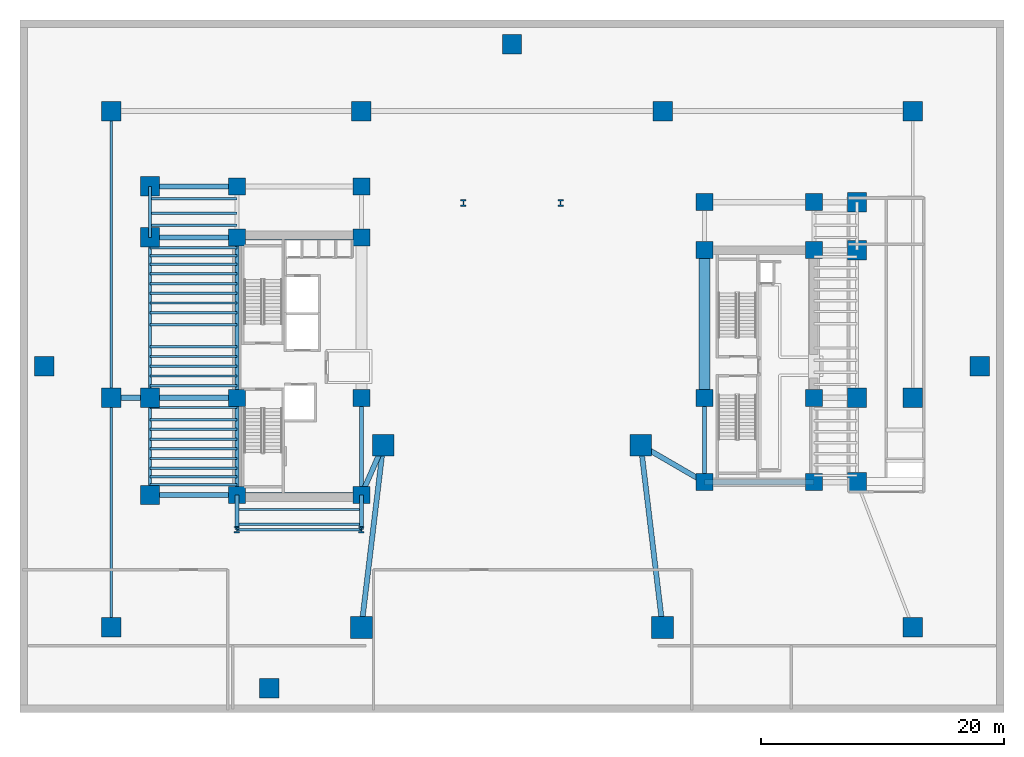
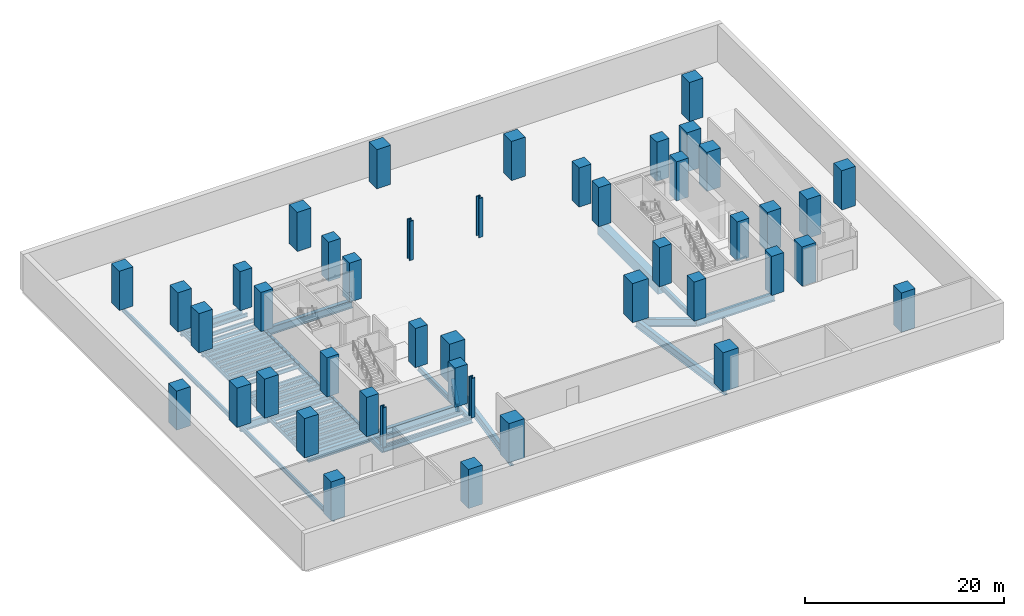
# One storey, part 1 of 10: 53 beams, 44 columns.
"""IFC4 building model written with IfcOpenShell, lengths in metres."""

from ifc_helpers import new_model, si_unit, direction, frame, origin, origin_2d, place, context, subcontext, project, spatial, rectangle, i_section, extrude, source, transform, mapped, material, material_profile, profile_set, type_object, element, save


model = new_model("IFC4")

# Units and contexts
model_context = context("Model", 3, precision=1e-05, world=origin(), true_north=direction((0.0, 1.0)))
body_context = subcontext(model_context, "Body", "Model", "MODEL_VIEW")
ifc_project = project(units=[si_unit("LENGTHUNIT", "METRE"), si_unit("AREAUNIT", "SQUARE_METRE"), si_unit("VOLUMEUNIT", "CUBIC_METRE"), si_unit("PLANEANGLEUNIT", "RADIAN"), si_unit("MASSUNIT", "GRAM", prefix="KILO")], contexts=[model_context])

# Site, building, storey
site_placement = place(None, origin())
site = spatial("IfcSite", under=ifc_project, at=site_placement, CompositionType="ELEMENT")
building_placement = place(site_placement, origin())
building = spatial("IfcBuilding", under=site, at=building_placement, Name="Valdorenza Pilgrim Sanctuary Tower", CompositionType="ELEMENT")
storey_placement = place(building_placement, frame((0.0, 0.0, -4.800048828125)))
storey = spatial("IfcBuildingStorey", under=building, at=storey_placement, Name="B01", CompositionType="ELEMENT", Elevation=-4.800048828125)

# Columns
ifc_material_1 = material(Name="Concrete C60/75", Category="concrete")
ifc_material_profile_1 = material_profile(ifc_material_1, rectangle(XDim=1.60009765625, YDim=1.60009765625, at=origin_2d()), Name="RC 1600x1600")
ifc_profile_set_1 = profile_set([ifc_material_profile_1], Name="Concrete C60/75")
column_type_1 = type_object("IfcColumnType", Name="COL-POD-1600", PredefinedType="COLUMN", material=ifc_profile_set_1)
shared_shape_1 = source(origin(), body_context, "Body", "SweptSolid", [
    extrude(rectangle(XDim=1.60009765625, YDim=1.60009765625, at=origin_2d()), origin(), (0.0, 0.0, 1.0), 4.800048828125),
])
for number, where, z_axis, x_axis, name in (
    (1, (-29.800048828125, -10.60009765625, 0.0), (0.0, 0.0, 1.0), (1.0, 0.0, 0.0), "B01 Perimeter Column WA-W-S1"),
    (2, (-29.800048828125, -2.60009765625, 0.0), (0.0, 0.0, 1.0), (1.0, 0.0, 0.0), "B01 Perimeter Column WA-W-M0"),
    (3, (-29.800048828125, 10.60009765625, 0.0), (0.0, 0.0, 1.0), (1.0, 0.0, 0.0), "B01 Perimeter Column WA-W-N1"),
    (4, (-29.800048828125, 14.800048828125, 0.0), (0.0, 0.0, 1.0), (1.0, 0.0, 0.0), "B01 Perimeter Column WA-W-N2"),
    (5, (28.39990234375, -9.550048828125, 0.0), (0.0, 0.0, 1.0), (1.0, 0.0, 0.0), "B01 Perimeter Column WB-E-S1"),
    (6, (28.39990234375, -2.60009765625, 0.0), (0.0, 0.0, 1.0), (1.0, 0.0, 0.0), "B01 Perimeter Column WB-E-M0"),
    (7, (28.39990234375, 9.550048828125, 0.0), (0.0, 0.0, 1.0), (1.0, 0.0, 0.0), "B01 Perimeter Column WB-E-N1"),
    (8, (28.39990234375, 13.5, 0.0), (0.0, 0.0, 1.0), (1.0, 0.0, 0.0), "B01 Perimeter Column WB-E-N2"),
    (9, (-33.0, -21.5, 0.0), (0.0, 0.0, 1.0), (1.0, 0.0, 0.0), "B01 Perimeter Column POD-SW"),
    (10, (-33.0, -2.60009765625, 0.0), (0.0, 0.0, 1.0), (1.0, 0.0, 0.0), "B01 Perimeter Column POD-MW"),
    (11, (-33.0, 21.0, 0.0), (0.0, 0.0, 1.0), (1.0, 0.0, 0.0), "B01 Perimeter Column POD-NW"),
    (12, (-12.39990234375, 21.0, 0.0), (0.0, 0.0, 1.0), (1.0, 0.0, 0.0), "B01 Perimeter Column POD-NCW"),
    (13, (12.39990234375, 21.0, 0.0), (0.0, 0.0, 1.0), (1.0, 0.0, 0.0), "B01 Perimeter Column POD-NCE"),
    (14, (33.0, 21.0, 0.0), (0.0, 0.0, 1.0), (1.0, 0.0, 0.0), "B01 Perimeter Column POD-NE"),
    (15, (33.0, -2.60009765625, 0.0), (0.0, 0.0, 1.0), (1.0, 0.0, 0.0), "B01 Perimeter Column POD-ME"),
    (16, (33.0, -21.5, 0.0), (0.0, 0.0, 1.0), (1.0, 0.0, 0.0), "B01 Perimeter Column POD-SE"),
    (17, (-38.5, 0.0, 0.0), (0.0, 0.0, 1.0), (1.0, 0.0, 0.0), "B01 Column BSM-W-OUT"),
    (18, (38.5, 0.0, 0.0), (0.0, 0.0, 1.0), (1.0, 0.0, 0.0), "B01 Column BSM-E-OUT"),
    (19, (0.0, 26.5, 0.0), (0.0, 0.0, 1.0), (1.0, 0.0, 0.0), "B01 Column BSM-N-OUT"),
    (20, (-20.0, -26.5, 0.0), (0.0, 0.0, 1.0), (1.0, 0.0, 0.0), "B01 Column BSM-S-OUT"),
):
    element("IfcColumn", number, at=place(storey_placement, frame(where, z_axis=z_axis, x_axis=x_axis)), inside=storey, type_object=column_type_1, Name=name, PredefinedType="COLUMN", context=body_context, shape_type="MappedRepresentation", body=[
        mapped(shared_shape_1, transform((0.0, 0.0, 0.0), x_axis=(1.0, 0.0, 0.0), y_axis=(0.0, 1.0, 0.0), z_axis=(0.0, 0.0, 1.0), scale=1.0)),
    ])
ifc_material_profile_2 = material_profile(ifc_material_1, rectangle(XDim=1.39990234375, YDim=1.39990234375, at=origin_2d()), Name="RC 1400x1400")
ifc_profile_set_2 = profile_set([ifc_material_profile_2], Name="Concrete C60/75")
column_type_2 = type_object("IfcColumnType", Name="COL-Z1-1400", PredefinedType="COLUMN", material=ifc_profile_set_2)
shared_shape_2 = source(origin(), body_context, "Body", "SweptSolid", [
    extrude(rectangle(XDim=1.39990234375, YDim=1.39990234375, at=origin_2d()), origin(), (0.0, 0.0, 1.0), 4.800048828125),
])
for number, where, z_axis, x_axis, name in (
    (21, (-22.64990234375, -10.60009765625, 0.0), (0.0, 0.0, 1.0), (1.0, 0.0, 0.0), "B01 Column CA-W-S1"),
    (22, (-12.39990234375, -10.60009765625, 0.0), (0.0, 0.0, 1.0), (1.0, 0.0, 0.0), "B01 Column CA-E-S1"),
    (23, (-22.64990234375, -2.60009765625, 0.0), (0.0, 0.0, 1.0), (1.0, 0.0, 0.0), "B01 Column CA-W-M0"),
    (24, (-12.39990234375, -2.60009765625, 0.0), (0.0, 0.0, 1.0), (1.0, 0.0, 0.0), "B01 Column CA-E-M0"),
    (25, (-22.64990234375, 10.60009765625, 0.0), (0.0, 0.0, 1.0), (1.0, 0.0, 0.0), "B01 Column CA-W-N1"),
    (26, (-12.39990234375, 10.60009765625, 0.0), (0.0, 0.0, 1.0), (1.0, 0.0, 0.0), "B01 Column CA-E-N1"),
    (27, (-22.64990234375, 14.800048828125, 0.0), (0.0, 0.0, 1.0), (1.0, 0.0, 0.0), "B01 Column CA-W-N2"),
    (28, (-12.39990234375, 14.800048828125, 0.0), (0.0, 0.0, 1.0), (1.0, 0.0, 0.0), "B01 Column CA-E-N2"),
    (29, (15.85009765625, -9.550048828125, 0.0), (0.0, 0.0, 1.0), (1.0, 0.0, 0.0), "B01 Column CB-W-S1"),
    (30, (24.85009765625, -9.550048828125, 0.0), (0.0, 0.0, 1.0), (1.0, 0.0, 0.0), "B01 Column CB-E-S1"),
    (31, (15.85009765625, -2.60009765625, 0.0), (0.0, 0.0, 1.0), (1.0, 0.0, 0.0), "B01 Column CB-W-M0"),
    (32, (24.85009765625, -2.60009765625, 0.0), (0.0, 0.0, 1.0), (1.0, 0.0, 0.0), "B01 Column CB-E-M0"),
    (33, (15.85009765625, 9.550048828125, 0.0), (0.0, 0.0, 1.0), (1.0, 0.0, 0.0), "B01 Column CB-W-N1"),
    (34, (24.85009765625, 9.550048828125, 0.0), (0.0, 0.0, 1.0), (1.0, 0.0, 0.0), "B01 Column CB-E-N1"),
    (35, (15.85009765625, 13.5, 0.0), (0.0, 0.0, 1.0), (1.0, 0.0, 0.0), "B01 Column CB-W-N2"),
    (36, (24.85009765625, 13.5, 0.0), (0.0, 0.0, 1.0), (1.0, 0.0, 0.0), "B01 Column CB-E-N2"),
):
    element("IfcColumn", number, at=place(storey_placement, frame(where, z_axis=z_axis, x_axis=x_axis)), inside=storey, type_object=column_type_2, Name=name, PredefinedType="COLUMN", context=body_context, shape_type="MappedRepresentation", body=[
        mapped(shared_shape_2, transform((0.0, 0.0, 0.0), x_axis=(1.0, 0.0, 0.0), y_axis=(0.0, 1.0, 0.0), z_axis=(0.0, 0.0, 1.0), scale=1.0)),
    ])
ifc_material_2 = material(Name="Steel ASTM A992 Grade 50", Category="steel")
ifc_material_profile_3 = material_profile(ifc_material_2, i_section(OverallWidth=0.44189453125, OverallDepth=0.531005859375, WebThickness=0.06591796875, FlangeThickness=0.105712890625, at=origin_2d()), Name="W14X605")
ifc_profile_set_3 = profile_set([ifc_material_profile_3], Name="Steel ASTM A992 Grade 50")
column_type_3 = type_object("IfcColumnType", Name="COL-STL-W605", PredefinedType="COLUMN", material=ifc_profile_set_3)
shared_shape_3 = source(origin(), body_context, "Body", "SweptSolid", [
    extrude(i_section(OverallWidth=0.44189453125, OverallDepth=0.531005859375, WebThickness=0.06591796875, FlangeThickness=0.105712890625, at=origin_2d()), origin(), (0.0, 0.0, 1.0), 4.800048828125),
])
for number, where, z_axis, x_axis, name in (
    (37, (-22.64990234375, -13.449951171875, 0.0), (0.0, 0.0, 1.0), (1.0, 0.0, 0.0), "B01 Column WA-S-W"),
    (38, (-12.39990234375, -13.449951171875, 0.0), (0.0, 0.0, 1.0), (1.0, 0.0, 0.0), "B01 Column WA-S-E"),
):
    element("IfcColumn", number, at=place(storey_placement, frame(where, z_axis=z_axis, x_axis=x_axis)), inside=storey, type_object=column_type_3, Name=name, PredefinedType="COLUMN", context=body_context, shape_type="MappedRepresentation", body=[
        mapped(shared_shape_3, transform((0.0, 0.0, 0.0), x_axis=(1.0, 0.0, 0.0), y_axis=(0.0, 1.0, 0.0), z_axis=(0.0, 0.0, 1.0), scale=1.0)),
    ])
ifc_material_profile_4 = material_profile(ifc_material_1, rectangle(XDim=1.800048828125, YDim=1.800048828125, at=origin_2d()), Name="RC 1800x1800")
ifc_profile_set_4 = profile_set([ifc_material_profile_4], Name="Concrete C60/75")
column_type_4 = type_object("IfcColumnType", Name="COL-ARCH-1800", PredefinedType="COLUMN", material=ifc_profile_set_4)
shared_shape_4 = source(origin(), body_context, "Body", "SweptSolid", [
    extrude(rectangle(XDim=1.800048828125, YDim=1.800048828125, at=origin_2d()), origin(), (0.0, 0.0, 1.0), 4.800048828125),
])
for number, where, z_axis, x_axis, name in (
    (39, (-12.39990234375, -21.5, 0.0), (0.0, 0.0, 1.0), (1.0, 0.0, 0.0), "B01 Perimeter Column ARCH-PIER-SW"),
    (40, (-10.60009765625, -6.5, 0.0), (0.0, 0.0, 1.0), (1.0, 0.0, 0.0), "B01 Perimeter Column ARCH-PIER-NW"),
    (41, (12.39990234375, -21.5, 0.0), (0.0, 0.0, 1.0), (1.0, 0.0, 0.0), "B01 Perimeter Column ARCH-PIER-SE"),
    (42, (10.60009765625, -6.5, 0.0), (0.0, 0.0, 1.0), (1.0, 0.0, 0.0), "B01 Perimeter Column ARCH-PIER-NE"),
):
    element("IfcColumn", number, at=place(storey_placement, frame(where, z_axis=z_axis, x_axis=x_axis)), inside=storey, type_object=column_type_4, Name=name, PredefinedType="COLUMN", context=body_context, shape_type="MappedRepresentation", body=[
        mapped(shared_shape_4, transform((0.0, 0.0, 0.0), x_axis=(1.0, 0.0, 0.0), y_axis=(0.0, 1.0, 0.0), z_axis=(0.0, 0.0, 1.0), scale=1.0)),
    ])
ifc_material_profile_5 = material_profile(ifc_material_2, i_section(OverallWidth=0.4541015625, OverallDepth=0.569091796875, WebThickness=0.077880859375, FlangeThickness=0.124755859375, at=origin_2d()), Name="W14X730")
ifc_profile_set_5 = profile_set([ifc_material_profile_5], Name="Steel ASTM A992 Grade 50")
column_type_5 = type_object("IfcColumnType", Name="COL-STL-W730", PredefinedType="COLUMN", material=ifc_profile_set_5)
shared_shape_5 = source(origin(), body_context, "Body", "SweptSolid", [
    extrude(i_section(OverallWidth=0.4541015625, OverallDepth=0.569091796875, WebThickness=0.077880859375, FlangeThickness=0.124755859375, at=origin_2d()), origin(), (0.0, 0.0, 1.0), 4.800048828125),
])
for number, where, z_axis, x_axis, name in (
    (43, (-4.0, 13.449951171875, 0.0), (0.0, 0.0, 1.0), (1.0, 0.0, 0.0), "B01 Column BSM-C1"),
    (44, (4.0, 13.449951171875, 0.0), (0.0, 0.0, 1.0), (1.0, 0.0, 0.0), "B01 Column BSM-C2"),
):
    element("IfcColumn", number, at=place(storey_placement, frame(where, z_axis=z_axis, x_axis=x_axis)), inside=storey, type_object=column_type_5, Name=name, PredefinedType="COLUMN", context=body_context, shape_type="MappedRepresentation", body=[
        mapped(shared_shape_5, transform((0.0, 0.0, 0.0), x_axis=(1.0, 0.0, 0.0), y_axis=(0.0, 1.0, 0.0), z_axis=(0.0, 0.0, 1.0), scale=1.0)),
    ])

# Beams
ifc_material_profile_6 = material_profile(ifc_material_1, rectangle(XDim=0.89990234375, YDim=1.39990234375, at=origin_2d()), Name="RC 1400x900")
ifc_profile_set_6 = profile_set([ifc_material_profile_6], Name="Concrete C60/75")
beam_type_1 = type_object("IfcBeamType", Name="STR-BM-LNT-1400", PredefinedType="LINTEL", material=ifc_profile_set_6)
shared_shape_6 = source(origin(), body_context, "Body", "SweptSolid", [
    extrude(rectangle(XDim=0.89990234375, YDim=1.39990234375, at=origin_2d()), origin(), (0.0, 0.0, 1.0), 12.150146484375),
])
beam_1_placement = place(storey_placement, frame((15.85009765625, -2.60009765625, -0.739990234375), z_axis=(0.0, 1.0, 0.0), x_axis=(-1.0, 0.0, 0.0)))
element("IfcBeam", 45, at=beam_1_placement, inside=storey, type_object=beam_type_1, Name="B01 Core B West Coupling Lintel Girder", PredefinedType="LINTEL", context=body_context, shape_type="MappedRepresentation", body=[
    mapped(shared_shape_6, transform((0.0, 0.0, 0.0), x_axis=(1.0, 0.0, 0.0), y_axis=(0.0, 1.0, 0.0), z_axis=(0.0, 0.0, 1.0), scale=1.0)),
])
ifc_material_profile_7 = material_profile(ifc_material_2, i_section(OverallWidth=0.423095703125, OverallDepth=0.947998046875, WebThickness=0.02392578125, FlangeThickness=0.042724609375, at=origin_2d()), Name="W36X302")
ifc_profile_set_7 = profile_set([ifc_material_profile_7], Name="Steel ASTM A992 Grade 50")
beam_type_2 = type_object("IfcBeamType", Name="STR-BM-GRD-W36A", PredefinedType="BEAM", material=ifc_profile_set_7)
shared_shape_7 = source(origin(), body_context, "Body", "SweptSolid", [
    extrude(i_section(OverallWidth=0.423095703125, OverallDepth=0.947998046875, WebThickness=0.02392578125, FlangeThickness=0.042724609375, at=origin_2d()), origin(), (0.0, 0.0, 1.0), 7.150146484375),
])
for number, where, z_axis, x_axis, name in (
    (46, (-29.800048828125, -10.60009765625, -0.73388671875), (1.0, 0.0, 0.0), (0.0, 1.0, 0.0), "B01 Floor Girder WA-XW-S1"),
    (47, (-29.800048828125, -2.60009765625, -0.73388671875), (1.0, 0.0, 0.0), (0.0, 1.0, 0.0), "B01 Floor Girder WA-XW-M0"),
    (48, (-29.800048828125, 10.60009765625, -0.73388671875), (1.0, 0.0, 0.0), (0.0, 1.0, 0.0), "B01 Floor Girder WA-XW-N1"),
    (49, (-29.800048828125, 14.800048828125, -0.73388671875), (1.0, 0.0, 0.0), (0.0, 1.0, 0.0), "B01 Floor Girder WA-XW-N2"),
):
    element("IfcBeam", number, at=place(storey_placement, frame(where, z_axis=z_axis, x_axis=x_axis)), inside=storey, type_object=beam_type_2, Name=name, PredefinedType="BEAM", context=body_context, shape_type="MappedRepresentation", body=[
        mapped(shared_shape_7, transform((0.0, 0.0, 0.0), x_axis=(1.0, 0.0, 0.0), y_axis=(0.0, 1.0, 0.0), z_axis=(0.0, 0.0, 1.0), scale=1.0)),
    ])
shared_shape_8 = source(origin(), body_context, "Body", "SweptSolid", [
    extrude(i_section(OverallWidth=0.423095703125, OverallDepth=0.947998046875, WebThickness=0.02392578125, FlangeThickness=0.042724609375, at=origin_2d()), origin(), (0.0, 0.0, 1.0), 10.25),
])
for number, where, z_axis, x_axis, name in (
    (50, (-22.64990234375, -10.60009765625, -0.73388671875), (1.0, 0.0, 0.0), (0.0, 1.0, 0.0), "B01 Floor Girder CA-XC-S1"),
    (51, (-22.64990234375, 10.60009765625, -0.73388671875), (1.0, 0.0, 0.0), (0.0, 1.0, 0.0), "B01 Floor Girder CA-XC-N1"),
):
    element("IfcBeam", number, at=place(storey_placement, frame(where, z_axis=z_axis, x_axis=x_axis)), inside=storey, type_object=beam_type_2, Name=name, PredefinedType="BEAM", context=body_context, shape_type="MappedRepresentation", body=[
        mapped(shared_shape_8, transform((0.0, 0.0, 0.0), x_axis=(1.0, 0.0, 0.0), y_axis=(0.0, 1.0, 0.0), z_axis=(0.0, 0.0, 1.0), scale=1.0)),
    ])
ifc_material_profile_8 = material_profile(ifc_material_2, i_section(OverallWidth=0.214111328125, OverallDepth=0.549072265625, WebThickness=0.0146484375, FlangeThickness=0.023681640625, at=origin_2d()), Name="W21X93")
ifc_profile_set_8 = profile_set([ifc_material_profile_8], Name="Steel ASTM A992 Grade 50")
beam_type_3 = type_object("IfcBeamType", Name="STR-BM-SPN-W21A", PredefinedType="SPANDREL", material=ifc_profile_set_8)
shared_shape_9 = source(origin(), body_context, "Body", "SweptSolid", [
    extrude(i_section(OverallWidth=0.214111328125, OverallDepth=0.549072265625, WebThickness=0.0146484375, FlangeThickness=0.023681640625, at=origin_2d()), origin(), (0.0, 0.0, 1.0), 8.0),
])
beam_2_placement = place(storey_placement, frame((-29.800048828125, -10.60009765625, -0.534423828125), z_axis=(0.0, 1.0, 0.0), x_axis=(-1.0, 0.0, 0.0)))
element("IfcBeam", 52, at=beam_2_placement, inside=storey, type_object=beam_type_3, Name="B01 Spandrel Beam WA-W-S1M0", PredefinedType="SPANDREL", context=body_context, shape_type="MappedRepresentation", body=[
    mapped(shared_shape_9, transform((0.0, 0.0, 0.0), x_axis=(1.0, 0.0, 0.0), y_axis=(0.0, 1.0, 0.0), z_axis=(0.0, 0.0, 1.0), scale=1.0)),
])
ifc_material_profile_9 = material_profile(ifc_material_2, i_section(OverallWidth=0.323974609375, OverallDepth=0.611083984375, WebThickness=0.0126953125, FlangeThickness=0.01904296875, at=origin_2d()), Name="W24X104")
ifc_profile_set_9 = profile_set([ifc_material_profile_9], Name="Steel ASTM A992 Grade 50")
beam_type_4 = type_object("IfcBeamType", Name="STR-BM-GRD-W24B", PredefinedType="BEAM", material=ifc_profile_set_9)
shared_shape_10 = source(origin(), body_context, "Body", "SweptSolid", [
    extrude(i_section(OverallWidth=0.323974609375, OverallDepth=0.611083984375, WebThickness=0.0126953125, FlangeThickness=0.01904296875, at=origin_2d()), origin(), (0.0, 0.0, 1.0), 8.0),
])
for number, where, z_axis, x_axis, name in (
    (53, (-22.64990234375, -10.60009765625, -0.5654296875), (0.0, 1.0, 0.0), (-1.0, 0.0, 0.0), "B01 Core Tie Girder CA-W-S1M0"),
    (54, (-12.39990234375, -10.60009765625, -0.5654296875), (0.0, 1.0, 0.0), (-1.0, 0.0, 0.0), "B01 Core Tie Girder CA-E-S1M0"),
):
    element("IfcBeam", number, at=place(storey_placement, frame(where, z_axis=z_axis, x_axis=x_axis)), inside=storey, type_object=beam_type_4, Name=name, PredefinedType="BEAM", context=body_context, shape_type="MappedRepresentation", body=[
        mapped(shared_shape_10, transform((0.0, 0.0, 0.0), x_axis=(1.0, 0.0, 0.0), y_axis=(0.0, 1.0, 0.0), z_axis=(0.0, 0.0, 1.0), scale=1.0)),
    ])
shared_shape_11 = source(origin(), body_context, "Body", "SweptSolid", [
    extrude(i_section(OverallWidth=0.214111328125, OverallDepth=0.549072265625, WebThickness=0.0146484375, FlangeThickness=0.023681640625, at=origin_2d()), origin(), (0.0, 0.0, 1.0), 13.2001953125),
])
beam_3_placement = place(storey_placement, frame((-29.800048828125, -2.60009765625, -0.534423828125), z_axis=(0.0, 1.0, 0.0), x_axis=(-1.0, 0.0, 0.0)))
element("IfcBeam", 55, at=beam_3_placement, inside=storey, type_object=beam_type_3, Name="B01 Spandrel Beam WA-W-M0N1", PredefinedType="SPANDREL", context=body_context, shape_type="MappedRepresentation", body=[
    mapped(shared_shape_11, transform((0.0, 0.0, 0.0), x_axis=(1.0, 0.0, 0.0), y_axis=(0.0, 1.0, 0.0), z_axis=(0.0, 0.0, 1.0), scale=1.0)),
])
shared_shape_12 = source(origin(), body_context, "Body", "SweptSolid", [
    extrude(i_section(OverallWidth=0.323974609375, OverallDepth=0.611083984375, WebThickness=0.0126953125, FlangeThickness=0.01904296875, at=origin_2d()), origin(), (0.0, 0.0, 1.0), 13.2001953125),
])
beam_4_placement = place(storey_placement, frame((-22.64990234375, -2.60009765625, -0.5654296875), z_axis=(0.0, 1.0, 0.0), x_axis=(-1.0, 0.0, 0.0)))
element("IfcBeam", 56, at=beam_4_placement, inside=storey, type_object=beam_type_4, Name="B01 Core Tie Girder CA-W-M0N1", PredefinedType="BEAM", context=body_context, shape_type="MappedRepresentation", body=[
    mapped(shared_shape_12, transform((0.0, 0.0, 0.0), x_axis=(1.0, 0.0, 0.0), y_axis=(0.0, 1.0, 0.0), z_axis=(0.0, 0.0, 1.0), scale=1.0)),
])
shared_shape_13 = source(origin(), body_context, "Body", "SweptSolid", [
    extrude(i_section(OverallWidth=0.214111328125, OverallDepth=0.549072265625, WebThickness=0.0146484375, FlangeThickness=0.023681640625, at=origin_2d()), origin(), (0.0, 0.0, 1.0), 4.199951171875),
])
beam_5_placement = place(storey_placement, frame((-29.800048828125, 10.60009765625, -0.534423828125), z_axis=(0.0, 1.0, 0.0), x_axis=(-1.0, 0.0, 0.0)))
element("IfcBeam", 57, at=beam_5_placement, inside=storey, type_object=beam_type_3, Name="B01 Spandrel Beam WA-W-N1N2", PredefinedType="SPANDREL", context=body_context, shape_type="MappedRepresentation", body=[
    mapped(shared_shape_13, transform((0.0, 0.0, 0.0), x_axis=(1.0, 0.0, 0.0), y_axis=(0.0, 1.0, 0.0), z_axis=(0.0, 0.0, 1.0), scale=1.0)),
])
shared_shape_14 = source(origin(), body_context, "Body", "SweptSolid", [
    extrude(i_section(OverallWidth=0.214111328125, OverallDepth=0.549072265625, WebThickness=0.0146484375, FlangeThickness=0.023681640625, at=origin_2d()), origin(), (0.0, 0.0, 1.0), 10.25),
])
beam_6_placement = place(storey_placement, frame((-22.64990234375, -13.449951171875, -0.534423828125), z_axis=(1.0, 0.0, 0.0), x_axis=(0.0, 1.0, 0.0)))
element("IfcBeam", 58, at=beam_6_placement, inside=storey, type_object=beam_type_3, Name="B01 South Spandrel WA-S-TIE", PredefinedType="SPANDREL", context=body_context, shape_type="MappedRepresentation", body=[
    mapped(shared_shape_14, transform((0.0, 0.0, 0.0), x_axis=(1.0, 0.0, 0.0), y_axis=(0.0, 1.0, 0.0), z_axis=(0.0, 0.0, 1.0), scale=1.0)),
])
shared_shape_15 = source(origin(), body_context, "Body", "SweptSolid", [
    extrude(i_section(OverallWidth=0.323974609375, OverallDepth=0.611083984375, WebThickness=0.0126953125, FlangeThickness=0.01904296875, at=origin_2d()), origin(), (0.0, 0.0, 1.0), 2.849853515625),
])
for number, where, z_axis, x_axis, name in (
    (59, (-22.64990234375, -13.449951171875, -0.5654296875), (0.0, 1.0, 0.0), (-1.0, 0.0, 0.0), "B01 Floor Girder WA-S-LW"),
    (60, (-12.39990234375, -13.449951171875, -0.5654296875), (0.0, 1.0, 0.0), (-1.0, 0.0, 0.0), "B01 Floor Girder WA-S-LE"),
):
    element("IfcBeam", number, at=place(storey_placement, frame(where, z_axis=z_axis, x_axis=x_axis)), inside=storey, type_object=beam_type_4, Name=name, PredefinedType="BEAM", context=body_context, shape_type="MappedRepresentation", body=[
        mapped(shared_shape_15, transform((0.0, 0.0, 0.0), x_axis=(1.0, 0.0, 0.0), y_axis=(0.0, 1.0, 0.0), z_axis=(0.0, 0.0, 1.0), scale=1.0)),
    ])
ifc_material_profile_10 = material_profile(ifc_material_2, i_section(OverallWidth=0.193115234375, OverallDepth=0.466064453125, WebThickness=0.011474609375, FlangeThickness=0.01904296875, at=origin_2d()), Name="W18X65")
ifc_profile_set_10 = profile_set([ifc_material_profile_10], Name="Steel ASTM A992 Grade 50")
beam_type_5 = type_object("IfcBeamType", Name="STR-BM-JST-W18A", PredefinedType="JOIST", material=ifc_profile_set_10)
shared_shape_16 = source(origin(), body_context, "Body", "SweptSolid", [
    extrude(i_section(OverallWidth=0.193115234375, OverallDepth=0.466064453125, WebThickness=0.011474609375, FlangeThickness=0.01904296875, at=origin_2d()), origin(), (0.0, 0.0, 1.0), 10.25),
])
for number, where, z_axis, x_axis, name in (
    (61, (-22.64990234375, -13.0, -0.492919921875), (1.0, 0.0, 0.0), (0.0, 1.0, 0.0), "B01 Composite Floor Joist JST-WAS-1"),
    (62, (-22.64990234375, -11.800048828125, -0.492919921875), (1.0, 0.0, 0.0), (0.0, 1.0, 0.0), "B01 Composite Floor Joist JST-WAS-2"),
):
    element("IfcBeam", number, at=place(storey_placement, frame(where, z_axis=z_axis, x_axis=x_axis)), inside=storey, type_object=beam_type_5, Name=name, PredefinedType="JOIST", context=body_context, shape_type="MappedRepresentation", body=[
        mapped(shared_shape_16, transform((0.0, 0.0, 0.0), x_axis=(1.0, 0.0, 0.0), y_axis=(0.0, 1.0, 0.0), z_axis=(0.0, 0.0, 1.0), scale=1.0)),
    ])
shared_shape_17 = source(origin(), body_context, "Body", "SweptSolid", [
    extrude(i_section(OverallWidth=0.193115234375, OverallDepth=0.466064453125, WebThickness=0.011474609375, FlangeThickness=0.01904296875, at=origin_2d()), origin(), (0.0, 0.0, 1.0), 7.150146484375),
])
for number, where, z_axis, x_axis, name in (
    (63, (-29.800048828125, -9.75, -0.492919921875), (1.0, 0.0, 0.0), (0.0, 1.0, 0.0), "B01 Composite Floor Joist JST-WA-1"),
    (64, (-29.800048828125, -9.10009765625, -0.492919921875), (1.0, 0.0, 0.0), (0.0, 1.0, 0.0), "B01 Composite Floor Joist JST-WA-2"),
    (65, (-29.800048828125, -8.39990234375, -0.492919921875), (1.0, 0.0, 0.0), (0.0, 1.0, 0.0), "B01 Composite Floor Joist JST-WA-3"),
    (66, (-29.800048828125, -7.60009765625, -0.492919921875), (1.0, 0.0, 0.0), (0.0, 1.0, 0.0), "B01 Composite Floor Joist JST-WA-4"),
    (67, (-29.800048828125, -6.800048828125, -0.492919921875), (1.0, 0.0, 0.0), (0.0, 1.0, 0.0), "B01 Composite Floor Joist JST-WA-5"),
    (68, (-29.800048828125, -6.0, -0.492919921875), (1.0, 0.0, 0.0), (0.0, 1.0, 0.0), "B01 Composite Floor Joist JST-WA-6"),
    (69, (-29.800048828125, -5.199951171875, -0.492919921875), (1.0, 0.0, 0.0), (0.0, 1.0, 0.0), "B01 Composite Floor Joist JST-WA-7"),
    (70, (-29.800048828125, -4.39990234375, -0.492919921875), (1.0, 0.0, 0.0), (0.0, 1.0, 0.0), "B01 Composite Floor Joist JST-WA-8"),
    (71, (-29.800048828125, -3.39990234375, -0.492919921875), (1.0, 0.0, 0.0), (0.0, 1.0, 0.0), "B01 Composite Floor Joist JST-WA-9"),
    (72, (-29.800048828125, -1.60009765625, -0.492919921875), (1.0, 0.0, 0.0), (0.0, 1.0, 0.0), "B01 Composite Floor Joist JST-WA-10"),
    (73, (-29.800048828125, -0.800048828125, -0.492919921875), (1.0, 0.0, 0.0), (0.0, 1.0, 0.0), "B01 Composite Floor Joist JST-WA-11"),
    (74, (-29.800048828125, 0.0, -0.492919921875), (1.0, 0.0, 0.0), (0.0, 1.0, 0.0), "B01 Composite Floor Joist JST-WA-12"),
    (75, (-29.800048828125, 0.800048828125, -0.492919921875), (1.0, 0.0, 0.0), (0.0, 1.0, 0.0), "B01 Composite Floor Joist JST-WA-13"),
    (76, (-29.800048828125, 1.60009765625, -0.492919921875), (1.0, 0.0, 0.0), (0.0, 1.0, 0.0), "B01 Composite Floor Joist JST-WA-14"),
    (77, (-29.800048828125, 3.39990234375, -0.492919921875), (1.0, 0.0, 0.0), (0.0, 1.0, 0.0), "B01 Composite Floor Joist JST-WA-15"),
    (78, (-29.800048828125, 4.39990234375, -0.492919921875), (1.0, 0.0, 0.0), (0.0, 1.0, 0.0), "B01 Composite Floor Joist JST-WA-16"),
    (79, (-29.800048828125, 5.199951171875, -0.492919921875), (1.0, 0.0, 0.0), (0.0, 1.0, 0.0), "B01 Composite Floor Joist JST-WA-17"),
    (80, (-29.800048828125, 6.0, -0.492919921875), (1.0, 0.0, 0.0), (0.0, 1.0, 0.0), "B01 Composite Floor Joist JST-WA-18"),
    (81, (-29.800048828125, 6.800048828125, -0.492919921875), (1.0, 0.0, 0.0), (0.0, 1.0, 0.0), "B01 Composite Floor Joist JST-WA-19"),
    (82, (-29.800048828125, 7.60009765625, -0.492919921875), (1.0, 0.0, 0.0), (0.0, 1.0, 0.0), "B01 Composite Floor Joist JST-WA-20"),
    (83, (-29.800048828125, 8.39990234375, -0.492919921875), (1.0, 0.0, 0.0), (0.0, 1.0, 0.0), "B01 Composite Floor Joist JST-WA-21"),
    (84, (-29.800048828125, 9.10009765625, -0.492919921875), (1.0, 0.0, 0.0), (0.0, 1.0, 0.0), "B01 Composite Floor Joist JST-WA-22"),
    (85, (-29.800048828125, 9.75, -0.492919921875), (1.0, 0.0, 0.0), (0.0, 1.0, 0.0), "B01 Composite Floor Joist JST-WA-23"),
    (86, (-29.800048828125, 11.60009765625, -0.492919921875), (1.0, 0.0, 0.0), (0.0, 1.0, 0.0), "B01 Composite Floor Joist JST-WA-24"),
    (87, (-29.800048828125, 12.60009765625, -0.492919921875), (1.0, 0.0, 0.0), (0.0, 1.0, 0.0), "B01 Composite Floor Joist JST-WA-25"),
    (88, (-29.800048828125, 13.800048828125, -0.492919921875), (1.0, 0.0, 0.0), (0.0, 1.0, 0.0), "B01 Composite Floor Joist JST-WA-26"),
):
    element("IfcBeam", number, at=place(storey_placement, frame(where, z_axis=z_axis, x_axis=x_axis)), inside=storey, type_object=beam_type_5, Name=name, PredefinedType="JOIST", context=body_context, shape_type="MappedRepresentation", body=[
        mapped(shared_shape_17, transform((0.0, 0.0, 0.0), x_axis=(1.0, 0.0, 0.0), y_axis=(0.0, 1.0, 0.0), z_axis=(0.0, 0.0, 1.0), scale=1.0)),
    ])
shared_shape_18 = source(origin(), body_context, "Body", "SweptSolid", [
    extrude(i_section(OverallWidth=0.423095703125, OverallDepth=0.947998046875, WebThickness=0.02392578125, FlangeThickness=0.042724609375, at=origin_2d()), origin(), (0.0, 0.0, 1.0), 9.0),
])
beam_7_placement = place(storey_placement, frame((15.85009765625, -9.550048828125, -0.73388671875), z_axis=(1.0, 0.0, 0.0), x_axis=(0.0, 1.0, 0.0)))
element("IfcBeam", 89, at=beam_7_placement, inside=storey, type_object=beam_type_2, Name="B01 Floor Girder CB-XC-S1", PredefinedType="BEAM", context=body_context, shape_type="MappedRepresentation", body=[
    mapped(shared_shape_18, transform((0.0, 0.0, 0.0), x_axis=(1.0, 0.0, 0.0), y_axis=(0.0, 1.0, 0.0), z_axis=(0.0, 0.0, 1.0), scale=1.0)),
])
shared_shape_19 = source(origin(), body_context, "Body", "SweptSolid", [
    extrude(i_section(OverallWidth=0.323974609375, OverallDepth=0.611083984375, WebThickness=0.0126953125, FlangeThickness=0.01904296875, at=origin_2d()), origin(), (0.0, 0.0, 1.0), 6.949951171875),
])
beam_8_placement = place(storey_placement, frame((15.85009765625, -9.550048828125, -0.5654296875), z_axis=(0.0, 1.0, 0.0), x_axis=(-1.0, 0.0, 0.0)))
element("IfcBeam", 90, at=beam_8_placement, inside=storey, type_object=beam_type_4, Name="B01 Core Tie Girder CB-W-S1M0", PredefinedType="BEAM", context=body_context, shape_type="MappedRepresentation", body=[
    mapped(shared_shape_19, transform((0.0, 0.0, 0.0), x_axis=(1.0, 0.0, 0.0), y_axis=(0.0, 1.0, 0.0), z_axis=(0.0, 0.0, 1.0), scale=1.0)),
])
shared_shape_20 = source(origin(), body_context, "Body", "SweptSolid", [
    extrude(i_section(OverallWidth=0.423095703125, OverallDepth=0.947998046875, WebThickness=0.02392578125, FlangeThickness=0.042724609375, at=origin_2d()), origin(), (0.0, 0.0, 1.0), 3.199951171875),
])
beam_9_placement = place(storey_placement, frame((-33.0, -2.60009765625, -0.73388671875), z_axis=(1.0, 0.0, 0.0), x_axis=(0.0, 1.0, 0.0)))
element("IfcBeam", 91, at=beam_9_placement, inside=storey, type_object=beam_type_2, Name="B01 Floor Girder POD-W-M0", PredefinedType="BEAM", context=body_context, shape_type="MappedRepresentation", body=[
    mapped(shared_shape_20, transform((0.0, 0.0, 0.0), x_axis=(1.0, 0.0, 0.0), y_axis=(0.0, 1.0, 0.0), z_axis=(0.0, 0.0, 1.0), scale=1.0)),
])
shared_shape_21 = source(origin(), body_context, "Body", "SweptSolid", [
    extrude(i_section(OverallWidth=0.214111328125, OverallDepth=0.549072265625, WebThickness=0.0146484375, FlangeThickness=0.023681640625, at=origin_2d()), origin(), (0.0, 0.0, 1.0), 18.89990234375),
])
beam_10_placement = place(storey_placement, frame((-33.0, -21.5, -0.534423828125), z_axis=(0.0, 1.0, 0.0), x_axis=(-1.0, 0.0, 0.0)))
element("IfcBeam", 92, at=beam_10_placement, inside=storey, type_object=beam_type_3, Name="B01 Floor Girder POD-SPN-WS", PredefinedType="SPANDREL", context=body_context, shape_type="MappedRepresentation", body=[
    mapped(shared_shape_21, transform((0.0, 0.0, 0.0), x_axis=(1.0, 0.0, 0.0), y_axis=(0.0, 1.0, 0.0), z_axis=(0.0, 0.0, 1.0), scale=1.0)),
])
shared_shape_22 = source(origin(), body_context, "Body", "SweptSolid", [
    extrude(i_section(OverallWidth=0.214111328125, OverallDepth=0.549072265625, WebThickness=0.0146484375, FlangeThickness=0.023681640625, at=origin_2d()), origin(), (0.0, 0.0, 1.0), 23.60009765625),
])
beam_11_placement = place(storey_placement, frame((-33.0, -2.60009765625, -0.534423828125), z_axis=(0.0, 1.0, 0.0), x_axis=(-1.0, 0.0, 0.0)))
element("IfcBeam", 93, at=beam_11_placement, inside=storey, type_object=beam_type_3, Name="B01 Floor Girder POD-SPN-WN", PredefinedType="SPANDREL", context=body_context, shape_type="MappedRepresentation", body=[
    mapped(shared_shape_22, transform((0.0, 0.0, 0.0), x_axis=(1.0, 0.0, 0.0), y_axis=(0.0, 1.0, 0.0), z_axis=(0.0, 0.0, 1.0), scale=1.0)),
])
shared_shape_23 = source(origin(), body_context, "Body", "SweptSolid", [
    extrude(i_section(OverallWidth=0.423095703125, OverallDepth=0.947998046875, WebThickness=0.02392578125, FlangeThickness=0.042724609375, at=origin_2d()), origin(), (0.0, 0.0, 1.0), 15.107666015625),
])
for number, where, z_axis, x_axis, name in (
    (94, (-12.39990234375, -21.5, -0.73388671875), (0.119132476027, 0.992878367755, 0.0), (-0.992878367755, 0.119132476027, 0.0), "B01 Floor Girder POD-ARCH-W"),
    (95, (12.39990234375, -21.5, -0.73388671875), (-0.119132476027, 0.992878367755, 0.0), (-0.992878367755, -0.119132476027, 0.0), "B01 Floor Girder POD-ARCH-E"),
):
    element("IfcBeam", number, at=place(storey_placement, frame(where, z_axis=z_axis, x_axis=x_axis)), inside=storey, type_object=beam_type_2, Name=name, PredefinedType="BEAM", context=body_context, shape_type="MappedRepresentation", body=[
        mapped(shared_shape_23, transform((0.0, 0.0, 0.0), x_axis=(1.0, 0.0, 0.0), y_axis=(0.0, 1.0, 0.0), z_axis=(0.0, 0.0, 1.0), scale=1.0)),
    ])
shared_shape_24 = source(origin(), body_context, "Body", "SweptSolid", [
    extrude(i_section(OverallWidth=0.423095703125, OverallDepth=0.947998046875, WebThickness=0.02392578125, FlangeThickness=0.042724609375, at=origin_2d()), origin(), (0.0, 0.0, 1.0), 4.477783203125),
])
beam_12_placement = place(storey_placement, frame((-10.60009765625, -6.5, -0.73388671875), z_axis=(-0.40194546398, -0.91566360853, 0.0), x_axis=(0.91566360853, -0.40194546398, 0.0)))
element("IfcBeam", 96, at=beam_12_placement, inside=storey, type_object=beam_type_2, Name="B01 Floor Girder POD-ARCH-N", PredefinedType="BEAM", context=body_context, shape_type="MappedRepresentation", body=[
    mapped(shared_shape_24, transform((0.0, 0.0, 0.0), x_axis=(1.0, 0.0, 0.0), y_axis=(0.0, 1.0, 0.0), z_axis=(0.0, 0.0, 1.0), scale=1.0)),
])
shared_shape_25 = source(origin(), body_context, "Body", "SweptSolid", [
    extrude(i_section(OverallWidth=0.423095703125, OverallDepth=0.947998046875, WebThickness=0.02392578125, FlangeThickness=0.042724609375, at=origin_2d()), origin(), (0.0, 0.0, 1.0), 6.07177734375),
])
beam_13_placement = place(storey_placement, frame((10.60009765625, -6.5, -0.73388671875), z_axis=(0.864670076815, -0.50234018181, 0.0), x_axis=(0.50234018181, 0.864670076815, 0.0)))
element("IfcBeam", 97, at=beam_13_placement, inside=storey, type_object=beam_type_2, Name="B01 Floor Girder POD-ARCH-NE", PredefinedType="BEAM", context=body_context, shape_type="MappedRepresentation", body=[
    mapped(shared_shape_25, transform((0.0, 0.0, 0.0), x_axis=(1.0, 0.0, 0.0), y_axis=(0.0, 1.0, 0.0), z_axis=(0.0, 0.0, 1.0), scale=1.0)),
])

save(model, "model.ifc")
